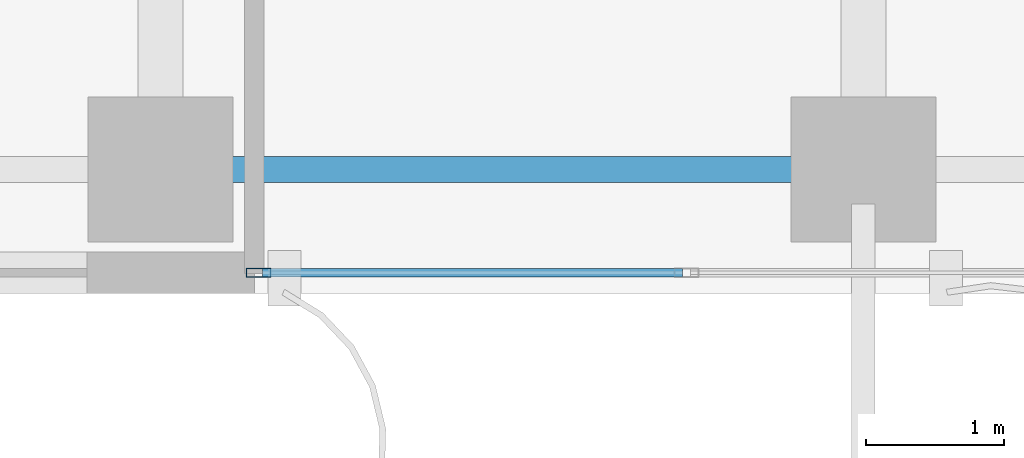
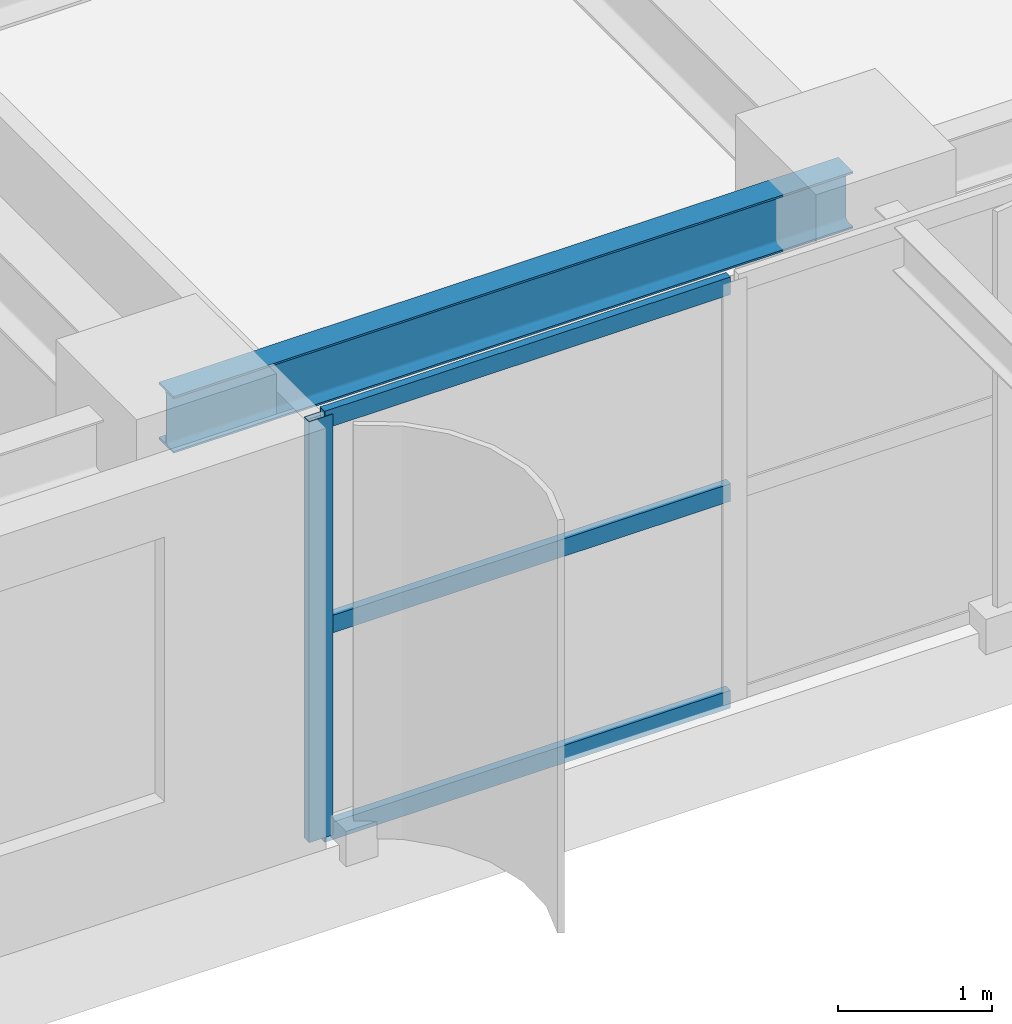
# One storey, part 2 of 23: 4 members, 1 beam, 1 element without a shape of its own.
"""IFC4 building model written with IfcOpenShell, lengths in metres."""

from ifc_helpers import new_model, si_unit, direction, frame, origin, origin_2d, place, context, subcontext, project, spatial, hollow_rectangle, i_section, extrude, source, transform, mapped, material, layer, layer_set, material_profile, profile_set, type_object, element, aggregate, save


model = new_model("IFC4")

# Units and contexts
model_context = context("Model", 3, precision=1e-05, world=origin(), true_north=direction((0.0, 1.0)))
body_context = subcontext(model_context, "Body", "Model", "MODEL_VIEW")
ifc_project = project(units=[si_unit("LENGTHUNIT", "METRE"), si_unit("AREAUNIT", "SQUARE_METRE"), si_unit("VOLUMEUNIT", "CUBIC_METRE"), si_unit("PLANEANGLEUNIT", "RADIAN"), si_unit("MASSUNIT", "GRAM", prefix="KILO")], contexts=[model_context])

# Site, building, storey
site_placement = place(None, origin())
site = spatial("IfcSite", under=ifc_project, at=site_placement, CompositionType="ELEMENT")
building_placement = place(site_placement, origin())
building = spatial("IfcBuilding", under=site, at=building_placement, Name="Khoralis Quay Care Tower", CompositionType="ELEMENT")
storey_placement = place(building_placement, frame((0.0, 0.0, 83.699951171875)))
storey = spatial("IfcBuildingStorey", under=building, at=storey_placement, Name="L21", CompositionType="ELEMENT", Elevation=83.699951171875)

# Beam
ifc_material_1 = material(Name="Steel S355", Category="steel")
ifc_material_profile_1 = material_profile(ifc_material_1, i_section(OverallWidth=0.18994140625, OverallDepth=0.449951171875, WebThickness=0.009521484375, FlangeThickness=0.0146484375, FilletRadius=0.02099609375, at=origin_2d()), Name="Steel S355")
ifc_profile_set_1 = profile_set([ifc_material_profile_1], Name="Steel S355")
beam_type = type_object("IfcBeamType", Name="BM-IPE450", PredefinedType="SPANDREL", material=ifc_profile_set_1)
shared_shape_1 = source(origin(), body_context, "Body", "SweptSolid", [
    extrude(i_section(OverallWidth=0.18994140625, OverallDepth=0.449951171875, WebThickness=0.009521484375, FlangeThickness=0.0146484375, FilletRadius=0.02099609375, at=origin_2d()), origin(), (0.0, 0.0, 1.0), 5.10009765625),
])
beam_placement = place(storey_placement, frame((12.0, 0.89990234375, 3.114990234375), z_axis=(1.0, 0.0, 0.0), x_axis=(0.0, 1.0, 0.0)))
element("IfcBeam", 1, at=beam_placement, inside=storey, type_object=beam_type, Name="BM-TSP-L21-02", PredefinedType="SPANDREL", context=body_context, shape_type="MappedRepresentation", body=[
    mapped(shared_shape_1, transform((0.0, 0.0, 0.0), scale=1.0)),
])

# Curtain wall, members
ifc_material_2 = material(Name="Pale anodised aluminium", Category="aluminium")
ifc_layer = layer(ifc_material_2, 0.169921875)
ifc_layer_set = layer_set([ifc_layer], Name="Pale anodised aluminium")
curtain_wall_type = type_object("IfcCurtainWallType", Name="CW-SYS-Z2", PredefinedType="NOTDEFINED", material=ifc_layer_set)
curtain_wall_placement = place(storey_placement, origin())
curtain_wall = element("IfcCurtainWall", 2, at=curtain_wall_placement, inside=storey, type_object=curtain_wall_type, Name="L21 Unitised Curtain Wall CW-L21-P1-E0", PredefinedType="NOTDEFINED")
ifc_material_profile_2 = material_profile(ifc_material_2, hollow_rectangle(XDim=0.06494140625, YDim=0.179931640625, WallThickness=0.00390625, at=origin_2d()), Name="Pale anodised aluminium")
ifc_profile_set_2 = profile_set([ifc_material_profile_2], Name="Pale anodised aluminium")
member_type_1 = type_object("IfcMemberType", Name="CW-MUL-180", PredefinedType="MULLION", material=ifc_profile_set_2)
shared_shape_2 = source(origin(), body_context, "Body", "SweptSolid", [
    extrude(hollow_rectangle(XDim=0.06494140625, YDim=0.179931640625, WallThickness=0.00390625, at=origin_2d()), origin(), (0.0, 0.0, 1.0), 3.340087890625),
])
member_1_placement = place(storey_placement, frame((12.7099609375, 0.14990234375, 0.0), z_axis=(0.0, 0.0, 1.0), x_axis=(0.0, 1.0, 0.0)))
member_1 = element("IfcMember", 3, at=member_1_placement, type_object=member_type_1, Name="CW2 mullion 1", PredefinedType="MULLION", context=body_context, shape_type="MappedRepresentation", body=[
    mapped(shared_shape_2, transform((0.0, 0.0, 0.0), scale=1.0)),
])
ifc_material_profile_3 = material_profile(ifc_material_2, hollow_rectangle(XDim=0.06005859375, YDim=0.139892578125, WallThickness=0.00390625, at=origin_2d()), Name="Pale anodised aluminium")
ifc_profile_set_3 = profile_set([ifc_material_profile_3], Name="Pale anodised aluminium")
member_type_2 = type_object("IfcMemberType", Name="CW-TRN-140", PredefinedType="USERDEFINED", material=ifc_profile_set_3)
shared_shape_3 = source(origin(), body_context, "Body", "SweptSolid", [
    extrude(hollow_rectangle(XDim=0.06005859375, YDim=0.139892578125, WallThickness=0.00390625, at=origin_2d()), origin(), (0.0, 0.0, 1.0), 3.046630859375),
])
member_2_placement = place(storey_placement, frame((12.739990234375, 0.14990234375, 0.030029296875), z_axis=(1.0, 0.0, 0.0), x_axis=(0.0, 1.0, 0.0)))
member_2 = element("IfcMember", 4, at=member_2_placement, type_object=member_type_2, Name="CW2 transom 1.1", ObjectType="TRANSOM", PredefinedType="USERDEFINED", context=body_context, shape_type="MappedRepresentation", body=[
    mapped(shared_shape_3, transform((0.0, 0.0, 0.0), scale=1.0)),
])
member_3_placement = place(storey_placement, frame((12.739990234375, 0.14990234375, 1.670166015625), z_axis=(1.0, 0.0, 0.0), x_axis=(0.0, 1.0, 0.0)))
member_3 = element("IfcMember", 5, at=member_3_placement, type_object=member_type_2, Name="CW2 transom 1.2", ObjectType="TRANSOM", PredefinedType="USERDEFINED", context=body_context, shape_type="MappedRepresentation", body=[
    mapped(shared_shape_3, transform((0.0, 0.0, 0.0), scale=1.0)),
])
member_4_placement = place(storey_placement, frame((12.739990234375, 0.14990234375, 3.31005859375), z_axis=(1.0, 0.0, 0.0), x_axis=(0.0, 1.0, 0.0)))
member_4 = element("IfcMember", 6, at=member_4_placement, type_object=member_type_2, Name="CW2 transom 1.3", ObjectType="TRANSOM", PredefinedType="USERDEFINED", context=body_context, shape_type="MappedRepresentation", body=[
    mapped(shared_shape_3, transform((0.0, 0.0, 0.0), scale=1.0)),
])
aggregate(curtain_wall, [member_1, member_2, member_3, member_4])

save(model, "model.ifc")
